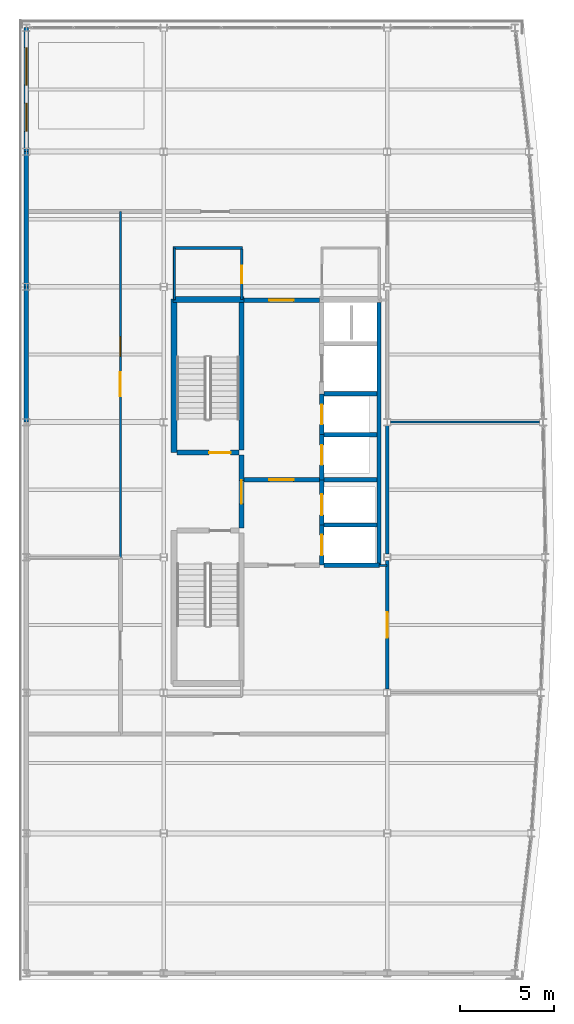
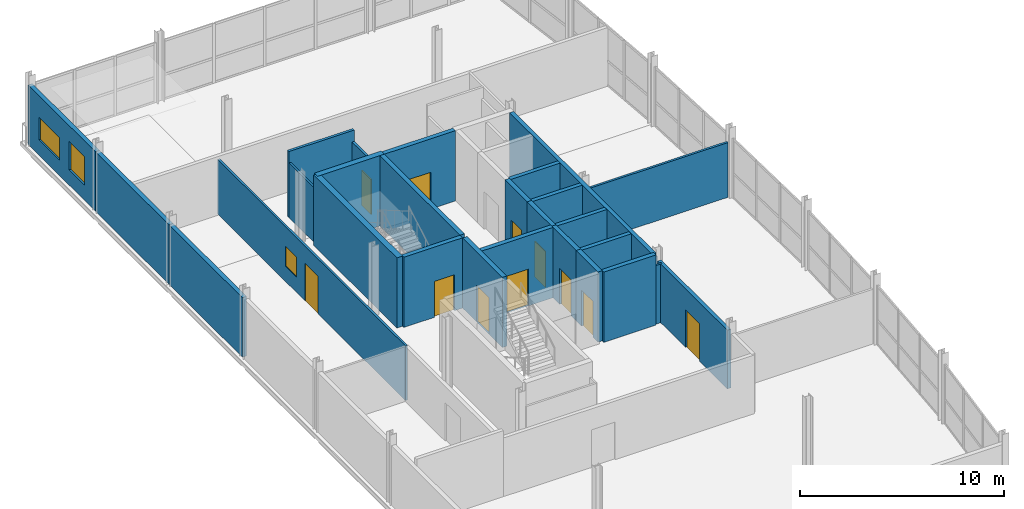
# One storey, part 16 of 20: 28 walls, 11 doors, 3 windows, 14 openings.
"""IFC4 building model written with IfcOpenShell, lengths in metres."""

from ifc_helpers import new_model, si_unit, direction, frame, frame_2d, origin, place, context, subcontext, project, spatial, rectangle, extrude, material, layer, layer_set, type_object, element, fill, save


model = new_model("IFC4")

# Units and contexts
model_context = context("Model", 3, precision=1e-05, world=origin(), true_north=direction((0.0, 1.0)))
body_context = subcontext(model_context, "Body", "Model", "MODEL_VIEW")
ifc_project = project(units=[si_unit("LENGTHUNIT", "METRE"), si_unit("AREAUNIT", "SQUARE_METRE"), si_unit("VOLUMEUNIT", "CUBIC_METRE"), si_unit("PLANEANGLEUNIT", "RADIAN"), si_unit("MASSUNIT", "GRAM", prefix="KILO")], contexts=[model_context])

# Site, building, storey
site_placement = place(None, origin())
site = spatial("IfcSite", under=ifc_project, at=site_placement, CompositionType="ELEMENT")
building_placement = place(site_placement, origin())
building = spatial("IfcBuilding", under=site, at=building_placement, Name="Quillay Park Conservatory", CompositionType="ELEMENT")
storey_placement = place(building_placement, frame((0.0, 0.0, 26.699951171875)))
storey = spatial("IfcBuildingStorey", under=building, at=storey_placement, Name="L06", CompositionType="ELEMENT", Elevation=26.699951171875)

# Walls
ifc_material_1 = material(Name="Steel-Stud Acoustic Gypsum Board Partition", Category="steel")
ifc_layer_1 = layer(ifc_material_1, 0.10009765625)
ifc_layer_set_1 = layer_set([ifc_layer_1], Name="ACOUSTIC GYPSUM PARTITION 100 (Steel-Stud Acoustic Gypsum Board Partition)")
wall_type_1 = type_object("IfcWallType", Name="ACOUSTIC GYPSUM PARTITION 100", PredefinedType="PARTITIONING", material=ifc_layer_set_1)
wall_1_placement = place(storey_placement, frame((8.419921875, 98.919921875, 0.0), z_axis=(0.0, 0.0, 1.0), x_axis=(0.0, 1.0, 0.0)))
element("IfcWall", 1, at=wall_1_placement, inside=storey, type_object=wall_type_1, Name="L06 Accessible WC West Wall", PredefinedType="PARTITIONING", context=body_context, shape_type="SweptSolid", body=[
    extrude(rectangle(XDim=2.739990234375, YDim=0.10009765625, at=frame_2d((1.3701171875, 0.0))), origin(), (0.0, 0.0, 1.0), 3.277099609375),
])
ifc_material_2 = material(Name="Steel-Stud Acoustic Gypsum Board Partition", Category="steel")
ifc_layer_2 = layer(ifc_material_2, 0.110107421875)
ifc_layer_set_2 = layer_set([ifc_layer_2], Name="ACOUSTIC GYPSUM PARTITION 110 (Steel-Stud Acoustic Gypsum Board Partition)")
wall_type_2 = type_object("IfcWallType", Name="ACOUSTIC GYPSUM PARTITION 110", PredefinedType="PARTITIONING", material=ifc_layer_set_2)
wall_2_placement = place(storey_placement, frame((19.320068359375, 84.77490234375, 0.0), z_axis=(0.0, 0.0, 1.0), x_axis=(1.0, 0.0, 0.0)))
element("IfcWall", 2, at=wall_2_placement, inside=storey, type_object=wall_type_2, Name="L06 Core South-East Closure", PredefinedType="PARTITIONING", context=body_context, shape_type="SweptSolid", body=[
    extrude(rectangle(XDim=0.429931640625, YDim=0.110107421875, at=frame_2d((0.21484375, 0.0))), origin(), (0.0, 0.0, 1.0), 3.507080078125),
])

# Wall, openings, window, door
ifc_material_3 = material(Name="Steel-Stud Acoustic Gypsum Board Partition", Category="steel")
ifc_layer_3 = layer(ifc_material_3, 0.114990234375)
ifc_layer_set_3 = layer_set([ifc_layer_3], Name="ACOUSTIC GYPSUM PARTITION 115 (Steel-Stud Acoustic Gypsum Board Partition)")
wall_type_3 = type_object("IfcWallType", Name="ACOUSTIC GYPSUM PARTITION 115", PredefinedType="PARTITIONING", material=ifc_layer_set_3)
wall_3_placement = place(storey_placement, frame((5.550048828125, 85.199951171875, 0.0), z_axis=(0.0, 0.0, 1.0), x_axis=(0.0, 1.0, 0.0)))
wall_3 = element("IfcWall", 3, at=wall_3_placement, inside=storey, type_object=wall_type_3, Name="L06 L06 Herbarium Taxonomist Curatorial Workspace Corridor Wall", PredefinedType="PARTITIONING", context=body_context, shape_type="SweptSolid", body=[
    extrude(rectangle(XDim=18.400146484375, YDim=0.114990234375, at=frame_2d((9.2001953125, 0.0))), origin(), (0.0, 0.0, 1.0), 3.277099609375),
])
opening_1_placement = place(wall_3_placement, frame((8.56005859375, 0.0, 0.0)))
opening_1 = element("IfcOpeningElement", 4, at=opening_1_placement, cuts=wall_3, Name="Opening D-RM23", PredefinedType="OPENING", context=body_context, shape_type="SweptSolid", body=[
    extrude(rectangle(XDim=1.280029296875, YDim=2.25, at=frame_2d((0.64013671875, 1.125))), frame((0.0, 0.0576171875, 0.0), z_axis=(0.0, -1.0, 0.0), x_axis=(1.0, 0.0, 0.0)), (0.0, 0.0, 1.0), 0.114990234375),
])
opening_2_placement = place(wall_3_placement, frame((10.68994140625, 0.0, 0.919921875)))
opening_2 = element("IfcOpeningElement", 5, at=opening_2_placement, cuts=wall_3, Name="Opening W-IN06", PredefinedType="OPENING", context=body_context, shape_type="SweptSolid", body=[
    extrude(rectangle(XDim=1.050048828125, YDim=1.199951171875, at=frame_2d((0.52490234375, 0.60009765625))), frame((0.0, 0.0576171875, 0.0), z_axis=(0.0, -1.0, 0.0), x_axis=(1.0, 0.0, 0.0)), (0.0, 0.0, 1.0), 0.114990234375),
])
ifc_material_4 = material(Name="Low-E Double Glazing (Laminated Tempered)", Category="glass")
window_type_1 = type_object("IfcWindowType", Name="OPERABLE VENT WINDOW 1050 X1200", PartitioningType="SINGLE_PANEL", PredefinedType="WINDOW", material=ifc_material_4)
window_1_placement = place(opening_2_placement, origin())
window_1 = element("IfcWindow", 6, at=window_1_placement, inside=storey, type_object=window_type_1, Name="L06 Laboratory Vision Panel 030", OverallHeight=1.199951171875, OverallWidth=1.050048828125, PartitioningType="SINGLE_PANEL", PredefinedType="WINDOW", context=body_context, shape_type="SweptSolid", body=[
    extrude(rectangle(XDim=1.050048828125, YDim=1.199951171875, at=frame_2d((0.52490234375, 0.60009765625))), frame((0.0, 0.030029296875, 0.0), z_axis=(0.0, -1.0, 0.0), x_axis=(1.0, 0.0, 0.0)), (0.0, 0.0, 1.0), 0.06005859375),
])
fill(opening_2, window_1)
ifc_material_5 = material(Name="Thermally Broken Anodised Aluminium 6063-T6", Category="aluminium")
door_type_1 = type_object("IfcDoorType", Name="SINGLE SWING DOOR 1280 X2250", OperationType="NOTDEFINED", PredefinedType="DOOR", material=ifc_material_5)
door_1_placement = place(opening_1_placement, origin())
door_1 = element("IfcDoor", 7, at=door_1_placement, inside=storey, type_object=door_type_1, Name="L06 Door to L06 Herbarium Taxonomist Curatorial Workspace", OperationType="SINGLE_SWING_LEFT", OverallHeight=2.25, OverallWidth=1.280029296875, PredefinedType="DOOR", context=body_context, shape_type="SweptSolid", body=[
    extrude(rectangle(XDim=1.280029296875, YDim=2.25, at=frame_2d((0.64013671875, 1.125))), frame((0.0, 0.02490234375, 0.0), z_axis=(0.0, -1.0, 0.0), x_axis=(1.0, 0.0, 0.0)), (0.0, 0.0, 1.0), 0.050048828125),
])
fill(opening_1, door_1)

# Wall
ifc_material_6 = material(Name="Steel-Stud Acoustic Gypsum Board Partition", Category="steel")
ifc_layer_4 = layer(ifc_material_6, 0.125)
ifc_layer_set_4 = layer_set([ifc_layer_4], Name="ACOUSTIC GYPSUM PARTITION 125 (Steel-Stud Acoustic Gypsum Board Partition)")
wall_type_4 = type_object("IfcWallType", Name="ACOUSTIC GYPSUM PARTITION 125", PredefinedType="PARTITIONING", material=ifc_layer_set_4)
wall_4_placement = place(storey_placement, frame((27.867919921875, 92.39990234375, 0.0), z_axis=(0.0, 0.0, 1.0), x_axis=(-1.0, 0.0, 0.0)))
element("IfcWall", 8, at=wall_4_placement, inside=storey, type_object=wall_type_4, Name="L06 East Divider 92", PredefinedType="PARTITIONING", context=body_context, shape_type="SweptSolid", body=[
    extrude(rectangle(XDim=7.93603515625, YDim=0.125, at=frame_2d((3.968017578125, 0.0))), origin(), (0.0, 0.0, 1.0), 3.277099609375),
])

# Wall, opening, door
ifc_material_7 = material(Name="Steel-Stud Acoustic Gypsum Board Partition", Category="steel")
ifc_layer_5 = layer(ifc_material_7, 0.139892578125)
ifc_layer_set_5 = layer_set([ifc_layer_5], Name="ACOUSTIC GYPSUM PARTITION 140 (Steel-Stud Acoustic Gypsum Board Partition)")
wall_type_5 = type_object("IfcWallType", Name="ACOUSTIC GYPSUM PARTITION 140", PredefinedType="PARTITIONING", material=ifc_layer_set_5)
wall_5_placement = place(storey_placement, frame((12.0, 101.60009765625, 0.0), z_axis=(0.0, 0.0, 1.0), x_axis=(0.0, -1.0, 0.0)))
wall_5 = element("IfcWall", 9, at=wall_5_placement, inside=storey, type_object=wall_type_5, Name="L06 Accessible WC Door Wall", PredefinedType="PARTITIONING", context=body_context, shape_type="SweptSolid", body=[
    extrude(rectangle(XDim=2.68017578125, YDim=0.139892578125, at=frame_2d((1.340087890625, 0.0))), origin(), (0.0, 0.0, 1.0), 3.277099609375),
])
opening_3_placement = place(wall_5_placement, frame((0.8798828125, 0.0, 0.0)))
opening_3 = element("IfcOpeningElement", 10, at=opening_3_placement, cuts=wall_5, Name="Opening D-RM01", PredefinedType="OPENING", context=body_context, shape_type="SweptSolid", body=[
    extrude(rectangle(XDim=0.919921875, YDim=2.10009765625, at=frame_2d((0.4599609375, 1.050048828125))), frame((0.0, 0.06982421875, 0.0), z_axis=(0.0, -1.0, 0.0), x_axis=(1.0, 0.0, 0.0)), (0.0, 0.0, 1.0), 0.139892578125),
])
ifc_material_8 = material(Name="Thermally Broken Anodised Aluminium 6063-T6", Category="aluminium")
door_type_2 = type_object("IfcDoorType", Name="SINGLE SWING DOOR 920 X2100", OperationType="NOTDEFINED", PredefinedType="DOOR", material=ifc_material_8)
door_2_placement = place(opening_3_placement, origin())
door_2 = element("IfcDoor", 11, at=door_2_placement, inside=storey, type_object=door_type_2, Name="L06 Door to L06 Accessible WC", OperationType="SINGLE_SWING_LEFT", OverallHeight=2.10009765625, OverallWidth=0.919921875, PredefinedType="DOOR", context=body_context, shape_type="SweptSolid", body=[
    extrude(rectangle(XDim=0.919921875, YDim=2.10009765625, at=frame_2d((0.4599609375, 1.050048828125))), frame((0.0, 0.02490234375, 0.0), z_axis=(0.0, -1.0, 0.0), x_axis=(1.0, 0.0, 0.0)), (0.0, 0.0, 1.0), 0.050048828125),
])
fill(opening_3, door_2)

# Walls
ifc_material_9 = material(Name="Steel-Stud Acoustic Gypsum Board Partition", Category="steel")
ifc_layer_6 = layer(ifc_material_9, 0.14990234375)
ifc_layer_set_6 = layer_set([ifc_layer_6], Name="ACOUSTIC GYPSUM PARTITION 150 (Steel-Stud Acoustic Gypsum Board Partition)")
wall_type_6 = type_object("IfcWallType", Name="ACOUSTIC GYPSUM PARTITION 150", PredefinedType="PARTITIONING", material=ifc_layer_set_6)
wall_6_placement = place(storey_placement, frame((8.360107421875, 101.659912109375, 0.0), z_axis=(0.0, 0.0, 1.0), x_axis=(1.0, 0.0, 0.0)))
element("IfcWall", 12, at=wall_6_placement, inside=storey, type_object=wall_type_6, Name="L06 Accessible WC North Wall", PredefinedType="PARTITIONING", context=body_context, shape_type="SweptSolid", body=[
    extrude(rectangle(XDim=3.699951171875, YDim=0.14990234375, at=frame_2d((1.85009765625, 0.0))), origin(), (0.0, 0.0, 1.0), 3.949951171875),
])
ifc_material_10 = material(Name="Concrete C35/45 (NCh170 Concrete C35/45)", Category="concrete")
ifc_layer_7 = layer(ifc_material_10, 0.22509765625)
ifc_layer_set_7 = layer_set([ifc_layer_7], Name="CORE SHEAR WALL 225 (Concrete C35/45 (NCh170 Concrete C35/45))")
wall_type_7 = type_object("IfcWallType", Name="CORE SHEAR WALL 225", PredefinedType="SHEAR", material=ifc_layer_set_7)
wall_7_placement = place(storey_placement, frame((19.320068359375, 84.800048828125, 0.0), z_axis=(0.0, 0.0, 1.0), x_axis=(0.0, 1.0, 0.0)))
element("IfcWall", 13, at=wall_7_placement, inside=storey, type_object=wall_type_7, Name="L06 Core Shear Wall WL-LFBACK-L06", PredefinedType="SHEAR", context=body_context, shape_type="SweptSolid", body=[
    extrude(rectangle(XDim=13.949951171875, YDim=0.22509765625, at=frame_2d((6.97509765625, 0.0))), origin(), (0.0, 0.0, 1.0), 4.199951171875),
])
for number, where, z_axis, x_axis, name in (
    (14, (16.39990234375, 86.925048828125, 0.0), (0.0, 0.0, 1.0), (1.0, 0.0, 0.0), "L06 Core Shear Wall WL-LFDIV-L06-869"),
    (15, (16.39990234375, 89.324951171875, 0.0), (0.0, 0.0, 1.0), (1.0, 0.0, 0.0), "L06 Core Shear Wall WL-LFDIV-L06-893"),
    (16, (16.39990234375, 91.72509765625, 0.0), (0.0, 0.0, 1.0), (1.0, 0.0, 0.0), "L06 Core Shear Wall WL-LFDIV-L06-917"),
    (17, (16.39990234375, 93.89990234375, 0.0), (0.0, 0.0, 1.0), (1.0, 0.0, 0.0), "L06 Core Shear Wall WL-LFDIV-L06-939"),
):
    element("IfcWall", number, at=place(storey_placement, frame(where, z_axis=z_axis, x_axis=x_axis)), inside=storey, type_object=wall_type_7, Name=name, PredefinedType="SHEAR", context=body_context, shape_type="SweptSolid", body=[
        extrude(rectangle(XDim=2.800048828125, YDim=0.22509765625, at=frame_2d((1.39990234375, 0.0))), origin(), (0.0, 0.0, 1.0), 4.199951171875),
    ])
ifc_material_11 = material(Name="Concrete C40/50 (NCh170 Concrete C40/50)", Category="concrete")
ifc_layer_8 = layer(ifc_material_11, 0.25)
ifc_layer_set_8 = layer_set([ifc_layer_8], Name="CORE SHEAR WALL 250 (Concrete C40/50 (NCh170 Concrete C40/50))")
wall_type_8 = type_object("IfcWallType", Name="CORE SHEAR WALL 250", PredefinedType="SHEAR", material=ifc_layer_set_8)
wall_8_placement = place(storey_placement, frame((11.9951171875, 90.89990234375, 0.0), z_axis=(0.0, 0.0, 1.0), x_axis=(0.0, 1.0, 0.0)))
element("IfcWall", 18, at=wall_8_placement, inside=storey, type_object=wall_type_8, Name="L06 Core Shear Wall WL-T1E-L06", PredefinedType="SHEAR", context=body_context, shape_type="SweptSolid", body=[
    extrude(rectangle(XDim=7.85009765625, YDim=0.25, at=frame_2d((3.925048828125, 0.0))), origin(), (0.0, 0.0, 1.0), 4.199951171875),
])

# Wall, opening, door
wall_9_placement = place(storey_placement, frame((11.9951171875, 86.75, 0.0), z_axis=(0.0, 0.0, 1.0), x_axis=(0.0, 1.0, 0.0)))
wall_9 = element("IfcWall", 19, at=wall_9_placement, inside=storey, type_object=wall_type_8, Name="L06 Core Shear Wall WL-FFW-L06", PredefinedType="SHEAR", context=body_context, shape_type="SweptSolid", body=[
    extrude(rectangle(XDim=3.89990234375, YDim=0.25, at=frame_2d((1.949951171875, 0.0))), origin(), (0.0, 0.0, 1.0), 4.199951171875),
])
opening_4_placement = place(wall_9_placement, frame((1.300048828125, 0.0, 0.0)))
opening_4 = element("IfcOpeningElement", 20, at=opening_4_placement, cuts=wall_9, Name="Opening D-LB01", PredefinedType="OPENING", context=body_context, shape_type="SweptSolid", body=[
    extrude(rectangle(XDim=1.25, YDim=2.199951171875, at=frame_2d((0.625, 1.10009765625))), frame((0.0, 0.125, 0.0), z_axis=(0.0, -1.0, 0.0), x_axis=(1.0, 0.0, 0.0)), (0.0, 0.0, 1.0), 0.25),
])
ifc_material_12 = material(Name="Steel ASTM A572 Grade 50", Category="steel")
door_type_3 = type_object("IfcDoorType", Name="FIRE RATED LOBBY DOOR 1250 X2200", OperationType="NOTDEFINED", PredefinedType="DOOR", material=ifc_material_12)
door_3_placement = place(opening_4_placement, origin())
door_3 = element("IfcDoor", 21, at=door_3_placement, inside=storey, type_object=door_type_3, Name="L06 Firefighting Lobby Corridor Door", OperationType="SINGLE_SWING_LEFT", OverallHeight=2.199951171875, OverallWidth=1.25, PredefinedType="DOOR", context=body_context, shape_type="SweptSolid", body=[
    extrude(rectangle(XDim=1.25, YDim=2.199951171875, at=frame_2d((0.625, 1.10009765625))), frame((0.0, 0.02490234375, 0.0), z_axis=(0.0, -1.0, 0.0), x_axis=(1.0, 0.0, 0.0)), (0.0, 0.0, 1.0), 0.050048828125),
])
fill(opening_4, door_3)

wall_10_placement = place(storey_placement, frame((12.1201171875, 98.875, 0.0), z_axis=(0.0, 0.0, 1.0), x_axis=(1.0, 0.0, 0.0)))
wall_10 = element("IfcWall", 22, at=wall_10_placement, inside=storey, type_object=wall_type_8, Name="L06 Core Shear Wall WL-PAXN-L06", PredefinedType="SHEAR", context=body_context, shape_type="SweptSolid", body=[
    extrude(rectangle(XDim=4.02978515625, YDim=0.25, at=frame_2d((2.014892578125, 0.0))), origin(), (0.0, 0.0, 1.0), 4.199951171875),
])
opening_5_placement = place(wall_10_placement, frame((1.35009765625, 0.0, 0.0)))
opening_5 = element("IfcOpeningElement", 23, at=opening_5_placement, cuts=wall_10, Name="Opening D-LB02", PredefinedType="OPENING", context=body_context, shape_type="SweptSolid", body=[
    extrude(rectangle(XDim=1.300048828125, YDim=2.199951171875, at=frame_2d((0.64990234375, 1.10009765625))), frame((0.0, 0.125, 0.0), z_axis=(0.0, -1.0, 0.0), x_axis=(1.0, 0.0, 0.0)), (0.0, 0.0, 1.0), 0.25),
])
ifc_material_13 = material(Name="Steel ASTM A572 Grade 50", Category="steel")
door_type_4 = type_object("IfcDoorType", Name="FIRE RATED LOBBY DOOR 1300 X2200", OperationType="NOTDEFINED", PredefinedType="DOOR", material=ifc_material_13)
door_4_placement = place(opening_5_placement, origin())
door_4 = element("IfcDoor", 24, at=door_4_placement, inside=storey, type_object=door_type_4, Name="L06 North Lift Lobby Door", OperationType="SINGLE_SWING_RIGHT", OverallHeight=2.199951171875, OverallWidth=1.300048828125, PredefinedType="DOOR", context=body_context, shape_type="SweptSolid", body=[
    extrude(rectangle(XDim=1.300048828125, YDim=2.199951171875, at=frame_2d((0.64990234375, 1.10009765625))), frame((0.0, 0.02490234375, 0.0), z_axis=(0.0, -1.0, 0.0), x_axis=(1.0, 0.0, 0.0)), (0.0, 0.0, 1.0), 0.050048828125),
])
fill(opening_5, door_4)

wall_11_placement = place(storey_placement, frame((11.8701171875, 90.77490234375, 0.0), z_axis=(0.0, 0.0, 1.0), x_axis=(-1.0, 0.0, 0.0)))
wall_11 = element("IfcWall", 25, at=wall_11_placement, inside=storey, type_object=wall_type_8, Name="L06 Core Shear Wall WL-ST1D-L06", PredefinedType="SHEAR", context=body_context, shape_type="SweptSolid", body=[
    extrude(rectangle(XDim=3.320068359375, YDim=0.25, at=frame_2d((1.66015625, 0.0))), origin(), (0.0, 0.0, 1.0), 4.199951171875),
])
opening_6_placement = place(wall_11_placement, frame((0.449951171875, 0.0, 0.0)))
opening_6 = element("IfcOpeningElement", 26, at=opening_6_placement, cuts=wall_11, Name="Opening D-ST02", PredefinedType="OPENING", context=body_context, shape_type="SweptSolid", body=[
    extrude(rectangle(XDim=1.14990234375, YDim=2.14990234375, at=frame_2d((0.574951171875, 1.074951171875))), frame((0.0, 0.125, 0.0), z_axis=(0.0, -1.0, 0.0), x_axis=(1.0, 0.0, 0.0)), (0.0, 0.0, 1.0), 0.25),
])
ifc_material_14 = material(Name="Steel ASTM A572 Grade 50", Category="steel")
door_type_5 = type_object("IfcDoorType", Name="FIRE RATED STAIR DOOR 1150 X2150", OperationType="NOTDEFINED", PredefinedType="DOOR", material=ifc_material_14)
door_5_placement = place(opening_6_placement, origin())
door_5 = element("IfcDoor", 27, at=door_5_placement, inside=storey, type_object=door_type_5, Name="L06 Protected Stair ST-T1 Door", OperationType="SINGLE_SWING_RIGHT", OverallHeight=2.14990234375, OverallWidth=1.14990234375, PredefinedType="DOOR", context=body_context, shape_type="SweptSolid", body=[
    extrude(rectangle(XDim=1.14990234375, YDim=2.14990234375, at=frame_2d((0.574951171875, 1.074951171875))), frame((0.0, 0.02490234375, 0.0), z_axis=(0.0, -1.0, 0.0), x_axis=(1.0, 0.0, 0.0)), (0.0, 0.0, 1.0), 0.050048828125),
])
fill(opening_6, door_5)

wall_12_placement = place(storey_placement, frame((12.1201171875, 89.324951171875, 0.0), z_axis=(0.0, 0.0, 1.0), x_axis=(1.0, 0.0, 0.0)))
wall_12 = element("IfcWall", 28, at=wall_12_placement, inside=storey, type_object=wall_type_8, Name="L06 Core Shear Wall WL-FFDIV-L06", PredefinedType="SHEAR", context=body_context, shape_type="SweptSolid", body=[
    extrude(rectangle(XDim=4.02978515625, YDim=0.25, at=frame_2d((2.014892578125, 0.0))), origin(), (0.0, 0.0, 1.0), 4.199951171875),
])
opening_7_placement = place(wall_12_placement, frame((1.35009765625, 0.0, 0.0)))
opening_7 = element("IfcOpeningElement", 29, at=opening_7_placement, cuts=wall_12, Name="Opening D-LB02", PredefinedType="OPENING", context=body_context, shape_type="SweptSolid", body=[
    extrude(rectangle(XDim=1.300048828125, YDim=2.199951171875, at=frame_2d((0.64990234375, 1.10009765625))), frame((0.0, 0.125, 0.0), z_axis=(0.0, -1.0, 0.0), x_axis=(1.0, 0.0, 0.0)), (0.0, 0.0, 1.0), 0.25),
])
door_6_placement = place(opening_7_placement, origin())
door_6 = element("IfcDoor", 30, at=door_6_placement, inside=storey, type_object=door_type_4, Name="L06 Firefighting to Passenger Lobby Door", OperationType="SINGLE_SWING_LEFT", OverallHeight=2.199951171875, OverallWidth=1.300048828125, PredefinedType="DOOR", context=body_context, shape_type="SweptSolid", body=[
    extrude(rectangle(XDim=1.300048828125, YDim=2.199951171875, at=frame_2d((0.64990234375, 1.10009765625))), frame((0.0, 0.02490234375, 0.0), z_axis=(0.0, -1.0, 0.0), x_axis=(1.0, 0.0, 0.0)), (0.0, 0.0, 1.0), 0.050048828125),
])
fill(opening_7, door_6)

# Wall
wall_13_placement = place(storey_placement, frame((16.39990234375, 84.77490234375, 0.0), z_axis=(0.0, 0.0, 1.0), x_axis=(1.0, 0.0, 0.0)))
element("IfcWall", 31, at=wall_13_placement, inside=storey, type_object=wall_type_8, Name="L06 Core Shear Wall WL-LFSO-L06", PredefinedType="SHEAR", context=body_context, shape_type="SweptSolid", body=[
    extrude(rectangle(XDim=2.9501953125, YDim=0.25, at=frame_2d((1.47509765625, 0.0))), origin(), (0.0, 0.0, 1.0), 4.199951171875),
])

# Wall, opening, door
wall_14_placement = place(storey_placement, frame((16.27490234375, 84.800048828125, 0.0), z_axis=(0.0, 0.0, 1.0), x_axis=(0.0, 1.0, 0.0)))
wall_14 = element("IfcWall", 32, at=wall_14_placement, inside=storey, type_object=wall_type_8, Name="L06 Core Shear Wall WL-LFFR-L06-LF-FF1", PredefinedType="SHEAR", context=body_context, shape_type="SweptSolid", body=[
    extrude(rectangle(XDim=2.125, YDim=0.25, at=frame_2d((1.0625, 0.0))), origin(), (0.0, 0.0, 1.0), 4.199951171875),
])
opening_8_placement = place(wall_14_placement, frame((0.5, 0.0, 0.0)))
opening_8 = element("IfcOpeningElement", 33, at=opening_8_placement, cuts=wall_14, Name="Opening LD01", PredefinedType="OPENING", context=body_context, shape_type="SweptSolid", body=[
    extrude(rectangle(XDim=1.10009765625, YDim=2.14990234375, at=frame_2d((0.550048828125, 1.074951171875))), frame((0.0, 0.125, 0.0), z_axis=(0.0, -1.0, 0.0), x_axis=(1.0, 0.0, 0.0)), (0.0, 0.0, 1.0), 0.25),
])
ifc_material_15 = material(Name="Steel ASTM A572 Grade 50", Category="steel")
door_type_6 = type_object("IfcDoorType", Name="LIFT LANDING SLIDING DOOR 1100 X2150", OperationType="NOTDEFINED", PredefinedType="DOOR", material=ifc_material_15)
door_7_placement = place(opening_8_placement, origin())
door_7 = element("IfcDoor", 34, at=door_7_placement, inside=storey, type_object=door_type_6, Name="L06 LF-FF1 Lift Landing Door LD01", OperationType="SLIDING_TO_LEFT", OverallHeight=2.14990234375, OverallWidth=1.10009765625, PredefinedType="DOOR", context=body_context, shape_type="SweptSolid", body=[
    extrude(rectangle(XDim=1.10009765625, YDim=2.14990234375, at=frame_2d((0.550048828125, 1.074951171875))), frame((0.0, 0.02490234375, 0.0), z_axis=(0.0, -1.0, 0.0), x_axis=(1.0, 0.0, 0.0)), (0.0, 0.0, 1.0), 0.050048828125),
])
fill(opening_8, door_7)

wall_15_placement = place(storey_placement, frame((16.27490234375, 86.925048828125, 0.0), z_axis=(0.0, 0.0, 1.0), x_axis=(0.0, 1.0, 0.0)))
wall_15 = element("IfcWall", 35, at=wall_15_placement, inside=storey, type_object=wall_type_8, Name="L06 Core Shear Wall WL-LFFR-L06-LF-FF2", PredefinedType="SHEAR", context=body_context, shape_type="SweptSolid", body=[
    extrude(rectangle(XDim=2.39990234375, YDim=0.25, at=frame_2d((1.199951171875, 0.0))), origin(), (0.0, 0.0, 1.0), 4.199951171875),
])
opening_9_placement = place(wall_15_placement, frame((0.52490234375, 0.0, 0.0)))
opening_9 = element("IfcOpeningElement", 36, at=opening_9_placement, cuts=wall_15, Name="Opening LD01", PredefinedType="OPENING", context=body_context, shape_type="SweptSolid", body=[
    extrude(rectangle(XDim=1.10009765625, YDim=2.14990234375, at=frame_2d((0.550048828125, 1.074951171875))), frame((0.0, 0.125, 0.0), z_axis=(0.0, -1.0, 0.0), x_axis=(1.0, 0.0, 0.0)), (0.0, 0.0, 1.0), 0.25),
])
door_8_placement = place(opening_9_placement, origin())
door_8 = element("IfcDoor", 37, at=door_8_placement, inside=storey, type_object=door_type_6, Name="L06 LF-FF2 Lift Landing Door LD01", OperationType="SLIDING_TO_LEFT", OverallHeight=2.14990234375, OverallWidth=1.10009765625, PredefinedType="DOOR", context=body_context, shape_type="SweptSolid", body=[
    extrude(rectangle(XDim=1.10009765625, YDim=2.14990234375, at=frame_2d((0.550048828125, 1.074951171875))), frame((0.0, 0.02490234375, 0.0), z_axis=(0.0, -1.0, 0.0), x_axis=(1.0, 0.0, 0.0)), (0.0, 0.0, 1.0), 0.050048828125),
])
fill(opening_9, door_8)

wall_16_placement = place(storey_placement, frame((16.27490234375, 89.324951171875, 0.0), z_axis=(0.0, 0.0, 1.0), x_axis=(0.0, 1.0, 0.0)))
wall_16 = element("IfcWall", 38, at=wall_16_placement, inside=storey, type_object=wall_type_8, Name="L06 Core Shear Wall WL-LFFR-L06-LF-P1", PredefinedType="SHEAR", context=body_context, shape_type="SweptSolid", body=[
    extrude(rectangle(XDim=2.400146484375, YDim=0.25, at=frame_2d((1.2001953125, 0.0))), origin(), (0.0, 0.0, 1.0), 4.199951171875),
])
opening_10_placement = place(wall_16_placement, frame((0.800048828125, 0.0, 0.0)))
opening_10 = element("IfcOpeningElement", 39, at=opening_10_placement, cuts=wall_16, Name="Opening LD02", PredefinedType="OPENING", context=body_context, shape_type="SweptSolid", body=[
    extrude(rectangle(XDim=1.050048828125, YDim=2.14990234375, at=frame_2d((0.52490234375, 1.074951171875))), frame((0.0, 0.125, 0.0), z_axis=(0.0, -1.0, 0.0), x_axis=(1.0, 0.0, 0.0)), (0.0, 0.0, 1.0), 0.25),
])
ifc_material_16 = material(Name="Steel ASTM A572 Grade 50", Category="steel")
door_type_7 = type_object("IfcDoorType", Name="LIFT LANDING SLIDING DOOR 1050 X2150", OperationType="NOTDEFINED", PredefinedType="DOOR", material=ifc_material_16)
door_9_placement = place(opening_10_placement, origin())
door_9 = element("IfcDoor", 40, at=door_9_placement, inside=storey, type_object=door_type_7, Name="L06 LF-P1 Lift Landing Door LD02", OperationType="SLIDING_TO_LEFT", OverallHeight=2.14990234375, OverallWidth=1.050048828125, PredefinedType="DOOR", context=body_context, shape_type="SweptSolid", body=[
    extrude(rectangle(XDim=1.050048828125, YDim=2.14990234375, at=frame_2d((0.52490234375, 1.074951171875))), frame((0.0, 0.02490234375, 0.0), z_axis=(0.0, -1.0, 0.0), x_axis=(1.0, 0.0, 0.0)), (0.0, 0.0, 1.0), 0.050048828125),
])
fill(opening_10, door_9)

wall_17_placement = place(storey_placement, frame((16.27490234375, 91.72509765625, 0.0), z_axis=(0.0, 0.0, 1.0), x_axis=(0.0, 1.0, 0.0)))
wall_17 = element("IfcWall", 41, at=wall_17_placement, inside=storey, type_object=wall_type_8, Name="L06 Core Shear Wall WL-LFFR-L06-LF-P2", PredefinedType="SHEAR", context=body_context, shape_type="SweptSolid", body=[
    extrude(rectangle(XDim=2.1748046875, YDim=0.25, at=frame_2d((1.08740234375, 0.0))), origin(), (0.0, 0.0, 1.0), 4.199951171875),
])
opening_11_placement = place(wall_17_placement, frame((0.550048828125, 0.0, 0.0)))
opening_11 = element("IfcOpeningElement", 42, at=opening_11_placement, cuts=wall_17, Name="Opening LD02", PredefinedType="OPENING", context=body_context, shape_type="SweptSolid", body=[
    extrude(rectangle(XDim=1.050048828125, YDim=2.14990234375, at=frame_2d((0.52490234375, 1.074951171875))), frame((0.0, 0.125, 0.0), z_axis=(0.0, -1.0, 0.0), x_axis=(1.0, 0.0, 0.0)), (0.0, 0.0, 1.0), 0.25),
])
door_10_placement = place(opening_11_placement, origin())
door_10 = element("IfcDoor", 43, at=door_10_placement, inside=storey, type_object=door_type_7, Name="L06 LF-P2 Lift Landing Door LD02", OperationType="SLIDING_TO_LEFT", OverallHeight=2.14990234375, OverallWidth=1.050048828125, PredefinedType="DOOR", context=body_context, shape_type="SweptSolid", body=[
    extrude(rectangle(XDim=1.050048828125, YDim=2.14990234375, at=frame_2d((0.52490234375, 1.074951171875))), frame((0.0, 0.02490234375, 0.0), z_axis=(0.0, -1.0, 0.0), x_axis=(1.0, 0.0, 0.0)), (0.0, 0.0, 1.0), 0.050048828125),
])
fill(opening_11, door_10)

# Walls
ifc_material_17 = material(Name="Concrete C40/50 (NCh170 Concrete C40/50)", Category="concrete")
ifc_layer_9 = layer(ifc_material_17, 0.320068359375)
ifc_layer_set_9 = layer_set([ifc_layer_9], Name="CORE SHEAR WALL 320 (Concrete C40/50 (NCh170 Concrete C40/50))")
wall_type_9 = type_object("IfcWallType", Name="CORE SHEAR WALL 320", PredefinedType="SHEAR", material=ifc_layer_set_9)
wall_18_placement = place(storey_placement, frame((8.389892578125, 90.77490234375, 0.0), z_axis=(0.0, 0.0, 1.0), x_axis=(0.0, 1.0, 0.0)))
element("IfcWall", 44, at=wall_18_placement, inside=storey, type_object=wall_type_9, Name="L06 Core Shear Wall WL-TCW-N-L06", PredefinedType="SHEAR", context=body_context, shape_type="SweptSolid", body=[
    extrude(rectangle(XDim=8.175048828125, YDim=0.320068359375, at=frame_2d((4.08740234375, 0.0))), origin(), (0.0, 0.0, 1.0), 4.199951171875),
])
wall_19_placement = place(storey_placement, frame((8.35009765625, 98.909912109375, 0.0), z_axis=(0.0, 0.0, 1.0), x_axis=(1.0, 0.0, 0.0)))
element("IfcWall", 45, at=wall_19_placement, inside=storey, type_object=wall_type_9, Name="L06 Core Shear Wall WL-TCN-W-L06", PredefinedType="SHEAR", context=body_context, shape_type="SweptSolid", body=[
    extrude(rectangle(XDim=3.77001953125, YDim=0.320068359375, at=frame_2d((1.885009765625, 0.0))), origin(), (0.0, 0.0, 1.0), 4.199951171875),
])
ifc_material_18 = material(Name="Glass-Fibre Reinforced Concrete (GRC) Cladding", Category="concrete")
ifc_layer_10 = layer(ifc_material_18, 0.239990234375)
ifc_layer_set_10 = layer_set([ifc_layer_10], Name="EXTERIOR SOLID WALL 240 (Glass-Fibre Reinforced Concrete (GRC) Cladding)")
wall_type_10 = type_object("IfcWallType", Name="EXTERIOR SOLID WALL 240", PredefinedType="SOLIDWALL", material=ifc_layer_set_10)
wall_20_placement = place(storey_placement, frame((0.550048828125, 92.39990234375, 0.0), z_axis=(0.0, 0.0, 1.0), x_axis=(0.0, 1.0, 0.0)))
element("IfcWall", 46, at=wall_20_placement, inside=storey, type_object=wall_type_10, Name="L06 External Wall WL-EXT-V4W-L06-4", PredefinedType="SOLIDWALL", context=body_context, shape_type="SweptSolid", body=[
    extrude(rectangle(XDim=7.2001953125, YDim=0.239990234375, at=frame_2d((3.60009765625, 0.0))), origin(), (0.0, 0.0, 1.0), 3.55712890625),
])
wall_21_placement = place(storey_placement, frame((0.550048828125, 99.60009765625, 0.0), z_axis=(0.0, 0.0, 1.0), x_axis=(0.0, 1.0, 0.0)))
element("IfcWall", 47, at=wall_21_placement, inside=storey, type_object=wall_type_10, Name="L06 External Wall WL-EXT-V4W-L06-5", PredefinedType="SOLIDWALL", context=body_context, shape_type="SweptSolid", body=[
    extrude(rectangle(XDim=7.199951171875, YDim=0.239990234375, at=frame_2d((3.60009765625, 0.0))), origin(), (0.0, 0.0, 1.0), 3.55712890625),
])

# Wall, openings, windows
wall_22_placement = place(storey_placement, frame((0.550048828125, 106.800048828125, 0.0), z_axis=(0.0, 0.0, 1.0), x_axis=(0.0, 1.0, 0.0)))
wall_22 = element("IfcWall", 48, at=wall_22_placement, inside=storey, type_object=wall_type_10, Name="L06 External Wall WL-EXT-V4W-L06-6", PredefinedType="SOLIDWALL", context=body_context, shape_type="SweptSolid", body=[
    extrude(rectangle(XDim=6.599853515625, YDim=0.239990234375, at=frame_2d((3.2998046875, 0.0))), origin(), (0.0, 0.0, 1.0), 3.55712890625),
])
opening_12_placement = place(wall_22_placement, frame((1.070068359375, 0.0, 0.919921875)))
opening_12 = element("IfcOpeningElement", 49, at=opening_12_placement, cuts=wall_22, Name="Opening W-13", PredefinedType="OPENING", context=body_context, shape_type="SweptSolid", body=[
    extrude(rectangle(XDim=1.5, YDim=1.699951171875, at=frame_2d((0.75, 0.85009765625))), frame((0.0, 0.1201171875, 0.0), z_axis=(0.0, -1.0, 0.0), x_axis=(1.0, 0.0, 0.0)), (0.0, 0.0, 1.0), 0.239990234375),
])
opening_13_placement = place(wall_22_placement, frame((3.530029296875, 0.0, 0.919921875)))
opening_13 = element("IfcOpeningElement", 50, at=opening_13_placement, cuts=wall_22, Name="Opening W-20", PredefinedType="OPENING", context=body_context, shape_type="SweptSolid", body=[
    extrude(rectangle(XDim=2.0, YDim=1.35009765625, at=frame_2d((1.0, 0.675048828125))), frame((0.0, 0.1201171875, 0.0), z_axis=(0.0, -1.0, 0.0), x_axis=(1.0, 0.0, 0.0)), (0.0, 0.0, 1.0), 0.239990234375),
])
ifc_material_19 = material(Name="Low-E Double Glazing (Laminated Tempered)", Category="glass")
window_type_2 = type_object("IfcWindowType", Name="FIXED CASEMENT WINDOW 1500 X1700", PartitioningType="SINGLE_PANEL", PredefinedType="WINDOW", material=ifc_material_19)
window_2_placement = place(opening_12_placement, origin())
window_2 = element("IfcWindow", 51, at=window_2_placement, inside=storey, type_object=window_type_2, Name="L06 Exterior Window 0186", OverallHeight=1.699951171875, OverallWidth=1.5, PartitioningType="SINGLE_PANEL", PredefinedType="WINDOW", context=body_context, shape_type="SweptSolid", body=[
    extrude(rectangle(XDim=1.5, YDim=1.699951171875, at=frame_2d((0.75, 0.85009765625))), frame((0.0, 0.030029296875, 0.0), z_axis=(0.0, -1.0, 0.0), x_axis=(1.0, 0.0, 0.0)), (0.0, 0.0, 1.0), 0.06005859375),
])
fill(opening_12, window_2)
ifc_material_20 = material(Name="Low-E Double Glazing (Laminated Tempered)", Category="glass")
window_type_3 = type_object("IfcWindowType", Name="FIXED CASEMENT WINDOW 2000 X1350", PartitioningType="DOUBLE_PANEL_VERTICAL", PredefinedType="WINDOW", material=ifc_material_20)
window_3_placement = place(opening_13_placement, origin())
window_3 = element("IfcWindow", 52, at=window_3_placement, inside=storey, type_object=window_type_3, Name="L06 Exterior Window 0187", OverallHeight=1.35009765625, OverallWidth=2.0, PartitioningType="DOUBLE_PANEL_VERTICAL", PredefinedType="WINDOW", context=body_context, shape_type="SweptSolid", body=[
    extrude(rectangle(XDim=2.0, YDim=1.35009765625, at=frame_2d((1.0, 0.675048828125))), frame((0.0, 0.030029296875, 0.0), z_axis=(0.0, -1.0, 0.0), x_axis=(1.0, 0.0, 0.0)), (0.0, 0.0, 1.0), 0.06005859375),
])
fill(opening_13, window_3)

# Wall, opening, door
ifc_material_21 = material(Name="Concrete C35/45 (NCh170 Concrete C35/45)", Category="concrete")
ifc_layer_11 = layer(ifc_material_21, 0.199951171875)
ifc_layer_set_11 = layer_set([ifc_layer_11], Name="SOLID VAULT WALL 200 (Concrete C35/45 (NCh170 Concrete C35/45))")
wall_type_11 = type_object("IfcWallType", Name="SOLID VAULT WALL 200", PredefinedType="SOLIDWALL", material=ifc_layer_set_11)
wall_23_placement = place(storey_placement, frame((19.75, 78.180908203125, 0.0), z_axis=(0.0, 0.0, 1.0), x_axis=(0.0, 1.0, 0.0)))
wall_23 = element("IfcWall", 53, at=wall_23_placement, inside=storey, type_object=wall_type_11, Name="L06 L06 Historical Type Specimen Safe Room West Wall 1", PredefinedType="SOLIDWALL", context=body_context, shape_type="SweptSolid", body=[
    extrude(rectangle(XDim=6.837158203125, YDim=0.199951171875, at=frame_2d((3.41845703125, 0.0))), origin(), (0.0, 0.0, 1.0), 3.507080078125),
])
opening_14_placement = place(wall_23_placement, frame((2.743896484375, 0.0, 0.0)))
opening_14 = element("IfcOpeningElement", 54, at=opening_14_placement, cuts=wall_23, Name="Opening D-HB01", PredefinedType="OPENING", context=body_context, shape_type="SweptSolid", body=[
    extrude(rectangle(XDim=1.35009765625, YDim=2.25, at=frame_2d((0.675048828125, 1.125))), frame((0.0, 0.10009765625, 0.0), z_axis=(0.0, -1.0, 0.0), x_axis=(1.0, 0.0, 0.0)), (0.0, 0.0, 1.0), 0.199951171875),
])
ifc_material_22 = material(Name="Steel ASTM A572 Grade 50", Category="steel")
door_type_8 = type_object("IfcDoorType", Name="FIRE RATED VAULT DOOR 1350 X2250", OperationType="NOTDEFINED", PredefinedType="DOOR", material=ifc_material_22)
door_11_placement = place(opening_14_placement, origin())
door_11 = element("IfcDoor", 55, at=door_11_placement, inside=storey, type_object=door_type_8, Name="L06 Door to L06 Historical Type Specimen Safe Room", OperationType="SINGLE_SWING_LEFT", OverallHeight=2.25, OverallWidth=1.35009765625, PredefinedType="DOOR", context=body_context, shape_type="SweptSolid", body=[
    extrude(rectangle(XDim=1.35009765625, YDim=2.25, at=frame_2d((0.675048828125, 1.125))), frame((0.0, 0.02490234375, 0.0), z_axis=(0.0, -1.0, 0.0), x_axis=(1.0, 0.0, 0.0)), (0.0, 0.0, 1.0), 0.050048828125),
])
fill(opening_14, door_11)

# Wall
wall_24_placement = place(storey_placement, frame((19.75, 85.382080078125, 0.0), z_axis=(0.0, 0.0, 1.0), x_axis=(0.0, 1.0, 0.0)))
element("IfcWall", 56, at=wall_24_placement, inside=storey, type_object=wall_type_11, Name="L06 L06 Historical Type Specimen Safe Room West Wall 2", PredefinedType="SOLIDWALL", context=body_context, shape_type="SweptSolid", body=[
    extrude(rectangle(XDim=6.8369140625, YDim=0.199951171875, at=frame_2d((3.41845703125, 0.0))), origin(), (0.0, 0.0, 1.0), 3.507080078125),
])

save(model, "model.ifc")
